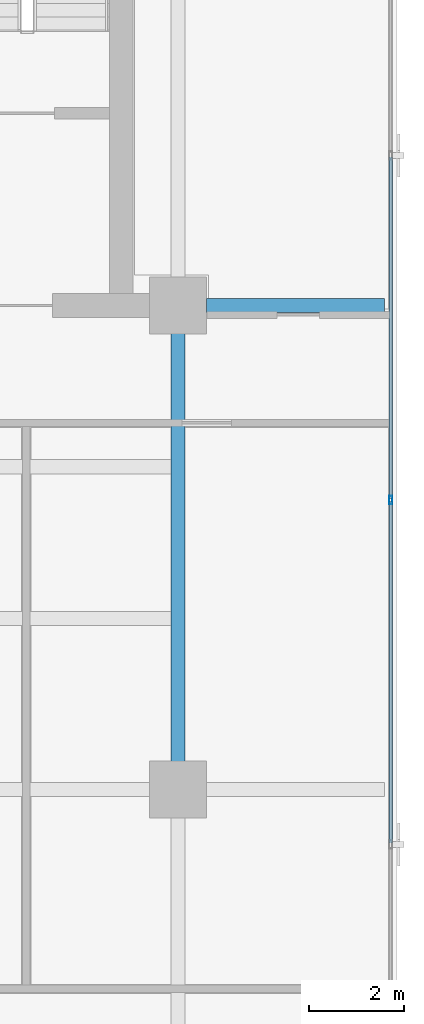
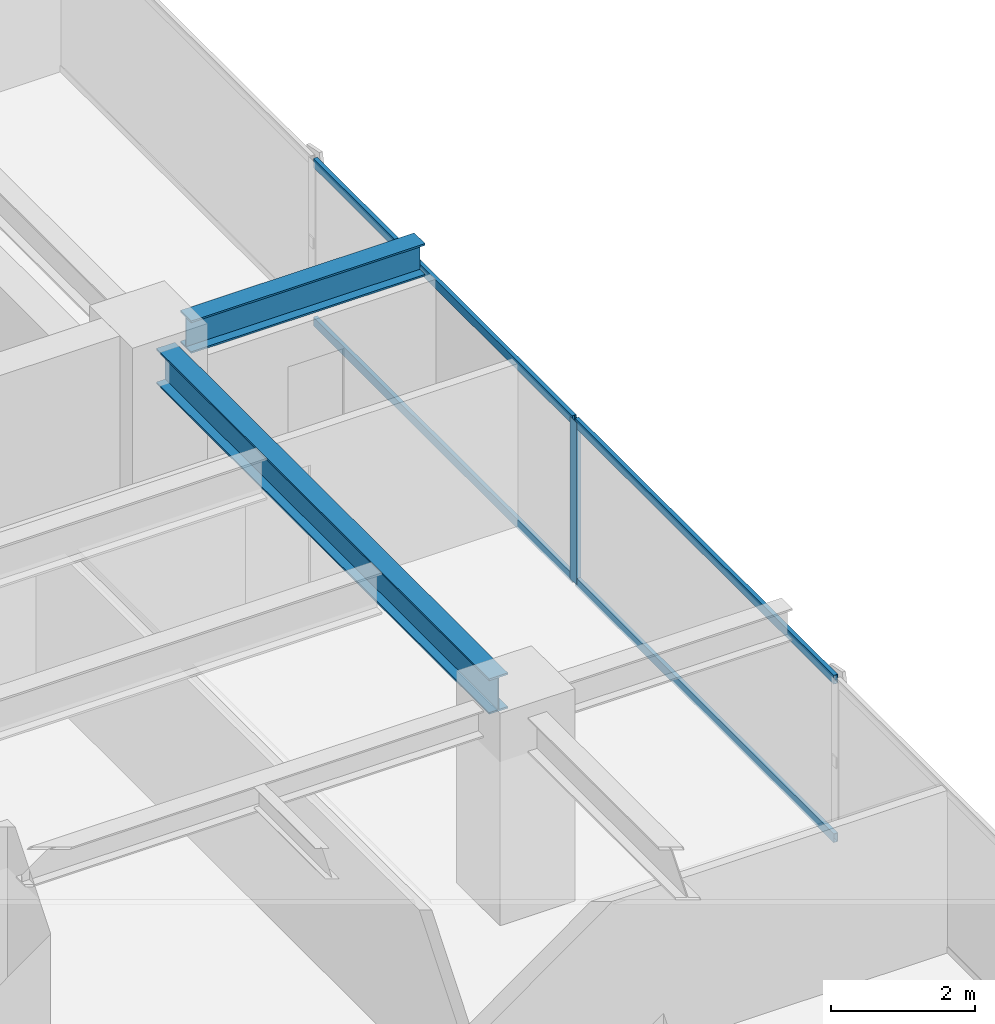
# One storey, part 9 of 22: 5 members, 2 beams, 1 element without a shape of its own.
"""IFC4 building model written with IfcOpenShell, lengths in metres."""

from ifc_helpers import new_model, si_unit, direction, frame, origin, origin_2d, place, context, subcontext, project, spatial, hollow_rectangle, i_section, extrude, source, transform, mapped, material, layer, layer_set, material_profile, profile_set, type_object, element, aggregate, save


model = new_model("IFC4")

# Units and contexts
model_context = context("Model", 3, precision=1e-05, world=origin(), true_north=direction((0.0, 1.0)))
body_context = subcontext(model_context, "Body", "Model", "MODEL_VIEW")
ifc_project = project(units=[si_unit("LENGTHUNIT", "METRE"), si_unit("AREAUNIT", "SQUARE_METRE"), si_unit("VOLUMEUNIT", "CUBIC_METRE"), si_unit("PLANEANGLEUNIT", "RADIAN"), si_unit("MASSUNIT", "GRAM", prefix="KILO")], contexts=[model_context])

# Site, building, storey
site_placement = place(None, origin())
site = spatial("IfcSite", under=ifc_project, at=site_placement, CompositionType="ELEMENT")
building_placement = place(site_placement, origin())
building = spatial("IfcBuilding", under=site, at=building_placement, Name="Sumidabori Civic Tower", CompositionType="ELEMENT")
storey_placement = place(building_placement, frame((0.0, 0.0, 279.199951171875)))
storey = spatial("IfcBuildingStorey", under=building, at=storey_placement, Name="L73", CompositionType="ELEMENT", Elevation=279.199951171875)

# Beams
ifc_material_1 = material(Name="Steel SN490", Category="steel")
ifc_material_profile_1 = material_profile(ifc_material_1, i_section(OverallWidth=0.300048828125, OverallDepth=0.60009765625, WebThickness=0.015380859375, FlangeThickness=0.030029296875, at=origin_2d()), Name="HE 600 B")
ifc_profile_set_1 = profile_set([ifc_material_profile_1], Name="Steel SN490")
beam_type_1 = type_object("IfcBeamType", Name="BM-GIRD-600", PredefinedType="BEAM", material=ifc_profile_set_1)
shared_shape_1 = source(origin(), body_context, "Body", "SweptSolid", [
    extrude(i_section(OverallWidth=0.300048828125, OverallDepth=0.60009765625, WebThickness=0.015380859375, FlangeThickness=0.030029296875, at=origin_2d()), origin(), (0.0, 0.0, 1.0), 9.239990234375),
])
beam_1_placement = place(storey_placement, frame((16.800048828125, 0.47998046875, 3.070068359375), z_axis=(0.0, 1.0, 0.0), x_axis=(-1.0, 0.0, 0.0)))
element("IfcBeam", 1, at=beam_1_placement, inside=storey, type_object=beam_type_1, Name="Primary Girder L73 GY-16", PredefinedType="BEAM", context=body_context, shape_type="MappedRepresentation", body=[
    mapped(shared_shape_1, transform((0.0, 0.0, 0.0), x_axis=(1.0, 0.0, 0.0), y_axis=(0.0, 1.0, 0.0), z_axis=(0.0, 0.0, 1.0), scale=1.0)),
])
ifc_material_profile_2 = material_profile(ifc_material_1, i_section(OverallWidth=0.300048828125, OverallDepth=0.550048828125, WebThickness=0.014892578125, FlangeThickness=0.029052734375, at=origin_2d()), Name="HE 550 B")
ifc_profile_set_2 = profile_set([ifc_material_profile_2], Name="Steel SN490")
beam_type_2 = type_object("IfcBeamType", Name="BM-Z4-EDGE", PredefinedType="SPANDREL", material=ifc_profile_set_2)
shared_shape_2 = source(origin(), body_context, "Body", "SweptSolid", [
    extrude(i_section(OverallWidth=0.300048828125, OverallDepth=0.550048828125, WebThickness=0.014892578125, FlangeThickness=0.029052734375, at=origin_2d()), origin(), (0.0, 0.0, 1.0), 3.75),
])
beam_2_placement = place(storey_placement, frame((17.39990234375, 10.199951171875, 3.094970703125), z_axis=(1.0, 0.0, 0.0), x_axis=(0.0, 1.0, 0.0)))
element("IfcBeam", 2, at=beam_2_placement, inside=storey, type_object=beam_type_2, Name="Perimeter Overhang Beam L73 E-20", PredefinedType="SPANDREL", context=body_context, shape_type="MappedRepresentation", body=[
    mapped(shared_shape_2, transform((0.0, 0.0, 0.0), x_axis=(1.0, 0.0, 0.0), y_axis=(0.0, 1.0, 0.0), z_axis=(0.0, 0.0, 1.0), scale=1.0)),
])

# Curtain wall, members
ifc_material_2 = material(Name="Anodised Bronze Aluminium AW-6063-T6", Category="aluminium")
ifc_layer = layer(ifc_material_2, 0.179931640625, Name="Anodised Bronze Aluminium AW-6063-T6")
ifc_layer_set = layer_set([ifc_layer], Name="Anodised Bronze Aluminium AW-6063-T6")
curtain_wall_type = type_object("IfcCurtainWallType", Name="CW-SYS-6", PredefinedType="NOTDEFINED", material=ifc_layer_set)
curtain_wall_placement = place(storey_placement, origin())
curtain_wall = element("IfcCurtainWall", 3, at=curtain_wall_placement, inside=storey, type_object=curtain_wall_type, Name="Curtain Wall CW:L73:R04", PredefinedType="NOTDEFINED")
ifc_material_profile_3 = material_profile(ifc_material_2, hollow_rectangle(XDim=0.070068359375, YDim=0.179931640625, WallThickness=0.006103515625, at=origin_2d()), Name="ALU MULLION 180x70")
ifc_profile_set_3 = profile_set([ifc_material_profile_3], Name="Anodised Bronze Aluminium AW-6063-T6")
member_type_1 = type_object("IfcMemberType", Name="CW-MUL-180", PredefinedType="MULLION", material=ifc_profile_set_3)
shared_shape_3 = source(origin(), body_context, "Body", "SweptSolid", [
    extrude(hollow_rectangle(XDim=0.070068359375, YDim=0.179931640625, WallThickness=0.006103515625, at=origin_2d()), origin(), (0.0, 0.0, 1.0), 2.75),
])
member_1_placement = place(storey_placement, frame((21.280029296875, 6.10009765625, 0.0), z_axis=(0.0, 0.0, 1.0), x_axis=(-1.0, 0.0, 0.0)))
member_1 = element("IfcMember", 4, at=member_1_placement, type_object=member_type_1, Name="CW-6 mullion 3", PredefinedType="MULLION", context=body_context, shape_type="MappedRepresentation", body=[
    mapped(shared_shape_3, transform((0.0, 0.0, 0.0), x_axis=(1.0, 0.0, 0.0), y_axis=(0.0, 1.0, 0.0), z_axis=(0.0, 0.0, 1.0), scale=1.0)),
])
ifc_material_profile_4 = material_profile(ifc_material_2, hollow_rectangle(XDim=0.06494140625, YDim=0.14990234375, WallThickness=0.0048828125, at=origin_2d()), Name="ALU TRANSOM 150x65")
ifc_profile_set_4 = profile_set([ifc_material_profile_4], Name="Anodised Bronze Aluminium AW-6063-T6")
member_type_2 = type_object("IfcMemberType", Name="CW-TRN-150", PredefinedType="USERDEFINED", material=ifc_profile_set_4)
shared_shape_4 = source(origin(), body_context, "Body", "SweptSolid", [
    extrude(hollow_rectangle(XDim=0.06494140625, YDim=0.14990234375, WallThickness=0.0048828125, at=origin_2d()), origin(), (0.0, 0.0, 1.0), 7.18994140625),
])
member_2_placement = place(storey_placement, frame((21.280029296875, -1.125, 0.032470703125), z_axis=(0.0, 1.0, 0.0), x_axis=(-1.0, 0.0, 0.0)))
member_2 = element("IfcMember", 5, at=member_2_placement, type_object=member_type_2, Name="CW-6 transom 2.1", ObjectType="TRANSOM", PredefinedType="USERDEFINED", context=body_context, shape_type="MappedRepresentation", body=[
    mapped(shared_shape_4, transform((0.0, 0.0, 0.0), x_axis=(1.0, 0.0, 0.0), y_axis=(0.0, 1.0, 0.0), z_axis=(0.0, 0.0, 1.0), scale=1.0)),
])
member_3_placement = place(storey_placement, frame((21.280029296875, -1.125, 2.717529296875), z_axis=(0.0, 1.0, 0.0), x_axis=(-1.0, 0.0, 0.0)))
member_3 = element("IfcMember", 6, at=member_3_placement, type_object=member_type_2, Name="CW-6 transom 2.2", ObjectType="TRANSOM", PredefinedType="USERDEFINED", context=body_context, shape_type="MappedRepresentation", body=[
    mapped(shared_shape_4, transform((0.0, 0.0, 0.0), x_axis=(1.0, 0.0, 0.0), y_axis=(0.0, 1.0, 0.0), z_axis=(0.0, 0.0, 1.0), scale=1.0)),
])
member_4_placement = place(storey_placement, frame((21.280029296875, 6.135009765625, 0.032470703125), z_axis=(0.0, 1.0, 0.0), x_axis=(-1.0, 0.0, 0.0)))
member_4 = element("IfcMember", 7, at=member_4_placement, type_object=member_type_2, Name="CW-6 transom 3.1", ObjectType="TRANSOM", PredefinedType="USERDEFINED", context=body_context, shape_type="MappedRepresentation", body=[
    mapped(shared_shape_4, transform((0.0, 0.0, 0.0), x_axis=(1.0, 0.0, 0.0), y_axis=(0.0, 1.0, 0.0), z_axis=(0.0, 0.0, 1.0), scale=1.0)),
])
member_5_placement = place(storey_placement, frame((21.280029296875, 6.135009765625, 2.717529296875), z_axis=(0.0, 1.0, 0.0), x_axis=(-1.0, 0.0, 0.0)))
member_5 = element("IfcMember", 8, at=member_5_placement, type_object=member_type_2, Name="CW-6 transom 3.2", ObjectType="TRANSOM", PredefinedType="USERDEFINED", context=body_context, shape_type="MappedRepresentation", body=[
    mapped(shared_shape_4, transform((0.0, 0.0, 0.0), x_axis=(1.0, 0.0, 0.0), y_axis=(0.0, 1.0, 0.0), z_axis=(0.0, 0.0, 1.0), scale=1.0)),
])
aggregate(curtain_wall, [member_1, member_2, member_3, member_4, member_5])

save(model, "model.ifc")
